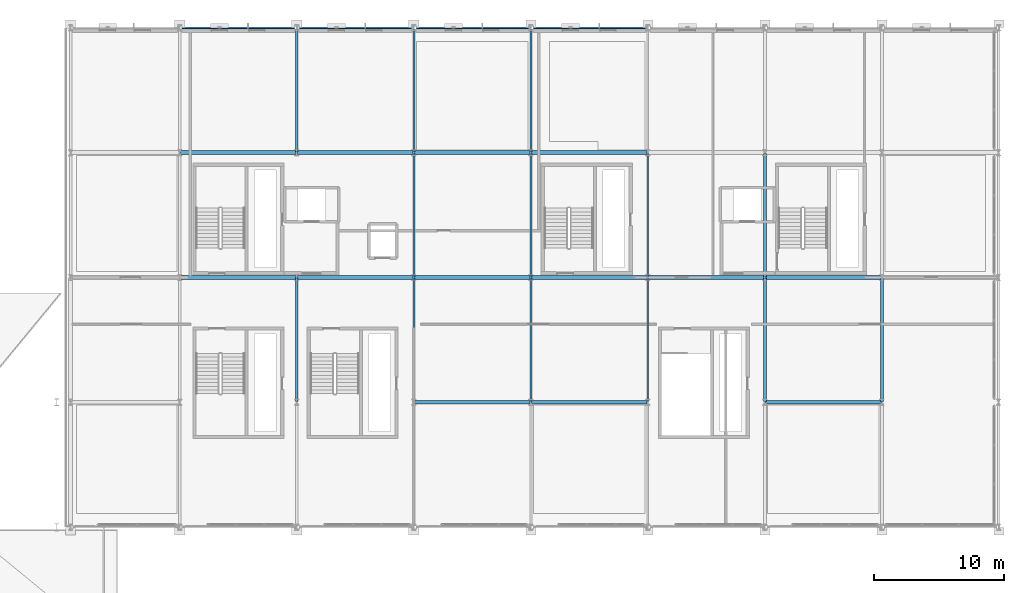
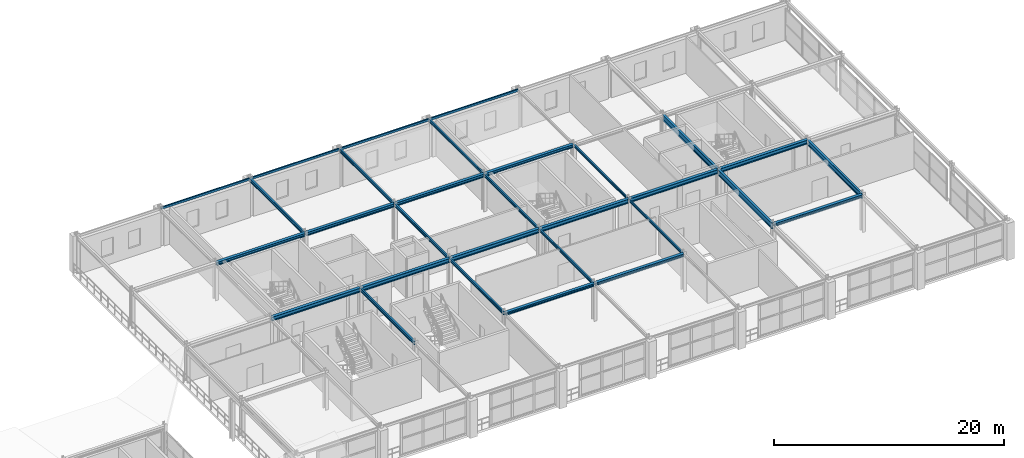
# One storey, part 32 of 81: 30 beams.
"""IFC4 building model written with IfcOpenShell, lengths in metres."""

from ifc_helpers import new_model, si_unit, direction, frame, origin, origin_2d, place, context, subcontext, project, spatial, hollow_rectangle, i_section, extrude, material, material_profile, profile_set, type_object, element, save


model = new_model("IFC4")

# Units and contexts
model_context = context("Model", 3, precision=1e-05, world=origin(), true_north=direction((0.0, 1.0)))
body_context = subcontext(model_context, "Body", "Model", "MODEL_VIEW")
ifc_project = project(units=[si_unit("LENGTHUNIT", "METRE"), si_unit("AREAUNIT", "SQUARE_METRE"), si_unit("VOLUMEUNIT", "CUBIC_METRE"), si_unit("PLANEANGLEUNIT", "RADIAN"), si_unit("MASSUNIT", "GRAM", prefix="KILO")], contexts=[model_context])

# Site, building, storey
site_placement = place(None, origin())
site = spatial("IfcSite", under=ifc_project, at=site_placement, CompositionType="ELEMENT")
building_placement = place(site_placement, origin())
building = spatial("IfcBuilding", under=site, at=building_placement, Name="Myrtia Square Station", CompositionType="ELEMENT")
storey_placement = place(building_placement, frame((0.0, 0.0, 10.800048828125)))
storey = spatial("IfcBuildingStorey", under=building, at=storey_placement, Name="L02", CompositionType="ELEMENT", Elevation=10.800048828125)

# Beams
ifc_material = material(Name="Steel S355", Category="steel")
ifc_material_profile_1 = material_profile(ifc_material, i_section(OverallWidth=0.300048828125, OverallDepth=0.35009765625, WebThickness=0.010009765625, FlangeThickness=0.017578125, FilletRadius=0.027099609375, at=origin_2d()), Name="HEA 360")
ifc_profile_set_1 = profile_set([ifc_material_profile_1], Name="Steel S355")
beam_type_1 = type_object("IfcBeamType", Name="BM-HEA360", PredefinedType="BEAM", material=ifc_profile_set_1)
for number, where, z_axis, x_axis, name in (
    (1, (126.050048828125, 115.199951171875, 3.784912109375), (1.0, 0.0, 0.0), (0.0, 1.0, 0.0), "Structural girder BMX-L02-0765"),
    (2, (135.050048828125, 115.199951171875, 3.784912109375), (1.0, 0.0, 0.0), (0.0, 1.0, 0.0), "Structural girder BMX-L02-0766"),
    (3, (144.050048828125, 115.199951171875, 3.784912109375), (1.0, 0.0, 0.0), (0.0, 1.0, 0.0), "Structural girder BMX-L02-0767"),
    (4, (153.050048828125, 115.199951171875, 3.784912109375), (1.0, 0.0, 0.0), (0.0, 1.0, 0.0), "Structural girder BMX-L02-0768"),
):
    element("IfcBeam", number, at=place(storey_placement, frame(where, z_axis=z_axis, x_axis=x_axis)), inside=storey, type_object=beam_type_1, Name=name, PredefinedType="BEAM", context=body_context, shape_type="SweptSolid", body=[
        extrude(i_section(OverallWidth=0.300048828125, OverallDepth=0.35009765625, WebThickness=0.010009765625, FlangeThickness=0.017578125, FilletRadius=0.027099609375, at=origin_2d()), origin(), (0.0, 0.0, 1.0), 8.89990234375),
    ])
ifc_material_profile_2 = material_profile(ifc_material, i_section(OverallWidth=0.300048828125, OverallDepth=0.43994140625, WebThickness=0.011474609375, FlangeThickness=0.02099609375, FilletRadius=0.027099609375, at=origin_2d()), Name="HEA 450")
ifc_profile_set_2 = profile_set([ifc_material_profile_2], Name="Steel S355")
beam_type_2 = type_object("IfcBeamType", Name="BM-HEA450", PredefinedType="BEAM", material=ifc_profile_set_2)
for number, where, z_axis, x_axis, name in (
    (5, (126.050048828125, 105.60009765625, 3.739990234375), (1.0, 0.0, 0.0), (0.0, 1.0, 0.0), "Structural girder BMX-L02-0757"),
    (6, (135.050048828125, 105.60009765625, 3.739990234375), (1.0, 0.0, 0.0), (0.0, 1.0, 0.0), "Structural girder BMX-L02-0758"),
    (7, (144.050048828125, 105.60009765625, 3.739990234375), (1.0, 0.0, 0.0), (0.0, 1.0, 0.0), "Structural girder BMX-L02-0759"),
    (8, (153.050048828125, 105.60009765625, 3.739990234375), (1.0, 0.0, 0.0), (0.0, 1.0, 0.0), "Structural girder BMX-L02-0760"),
    (9, (162.050048828125, 105.60009765625, 3.739990234375), (1.0, 0.0, 0.0), (0.0, 1.0, 0.0), "Structural girder BMX-L02-0761"),
    (10, (171.050048828125, 105.60009765625, 3.739990234375), (1.0, 0.0, 0.0), (0.0, 1.0, 0.0), "Structural girder BMX-L02-0762"),
):
    element("IfcBeam", number, at=place(storey_placement, frame(where, z_axis=z_axis, x_axis=x_axis)), inside=storey, type_object=beam_type_2, Name=name, PredefinedType="BEAM", context=body_context, shape_type="SweptSolid", body=[
        extrude(i_section(OverallWidth=0.300048828125, OverallDepth=0.43994140625, WebThickness=0.011474609375, FlangeThickness=0.02099609375, FilletRadius=0.027099609375, at=origin_2d()), origin(), (0.0, 0.0, 1.0), 8.89990234375),
    ])
ifc_material_profile_3 = material_profile(ifc_material, i_section(OverallWidth=0.300048828125, OverallDepth=0.300048828125, WebThickness=0.010986328125, FlangeThickness=0.01904296875, FilletRadius=0.027099609375, at=origin_2d()), Name="HEB 300")
ifc_profile_set_3 = profile_set([ifc_material_profile_3], Name="Steel S355")
beam_type_3 = type_object("IfcBeamType", Name="BM-HEB300", PredefinedType="BEAM", material=ifc_profile_set_3)
for number, where, z_axis, x_axis, name in (
    (11, (144.050048828125, 96.0, 3.81005859375), (1.0, 0.0, 0.0), (0.0, 1.0, 0.0), "Structural girder BMX-L02-0753"),
    (12, (153.050048828125, 96.0, 3.81005859375), (1.0, 0.0, 0.0), (0.0, 1.0, 0.0), "Structural girder BMX-L02-0754"),
    (13, (171.050048828125, 96.0, 3.81005859375), (1.0, 0.0, 0.0), (0.0, 1.0, 0.0), "Structural girder BMX-L02-0755"),
):
    element("IfcBeam", number, at=place(storey_placement, frame(where, z_axis=z_axis, x_axis=x_axis)), inside=storey, type_object=beam_type_3, Name=name, PredefinedType="BEAM", context=body_context, shape_type="SweptSolid", body=[
        extrude(i_section(OverallWidth=0.300048828125, OverallDepth=0.300048828125, WebThickness=0.010986328125, FlangeThickness=0.01904296875, FilletRadius=0.027099609375, at=origin_2d()), origin(), (0.0, 0.0, 1.0), 8.89990234375),
    ])
ifc_material_profile_4 = material_profile(ifc_material, i_section(OverallWidth=0.135009765625, OverallDepth=0.27001953125, WebThickness=0.006591796875, FlangeThickness=0.01025390625, FilletRadius=0.014892578125, at=origin_2d()), Name="IPE 270")
ifc_profile_set_4 = profile_set([ifc_material_profile_4], Name="Steel S355")
beam_type_4 = type_object("IfcBeamType", Name="BM-IPE270", PredefinedType="BEAM", material=ifc_profile_set_4)
for number, where, z_axis, x_axis, name in (
    (14, (162.0, 96.050048828125, 3.824951171875), (0.0, 1.0, 0.0), (-1.0, 0.0, 0.0), "Structural girder BMY-L02-0792"),
    (15, (162.0, 105.64990234375, 3.824951171875), (0.0, 1.0, 0.0), (-1.0, 0.0, 0.0), "Structural girder BMY-L02-0793"),
):
    element("IfcBeam", number, at=place(storey_placement, frame(where, z_axis=z_axis, x_axis=x_axis)), inside=storey, type_object=beam_type_4, Name=name, PredefinedType="BEAM", context=body_context, shape_type="SweptSolid", body=[
        extrude(i_section(OverallWidth=0.135009765625, OverallDepth=0.27001953125, WebThickness=0.006591796875, FlangeThickness=0.01025390625, FilletRadius=0.014892578125, at=origin_2d()), origin(), (0.0, 0.0, 1.0), 9.5),
    ])
ifc_material_profile_5 = material_profile(ifc_material, i_section(OverallWidth=0.14990234375, OverallDepth=0.300048828125, WebThickness=0.007080078125, FlangeThickness=0.0107421875, FilletRadius=0.014892578125, at=origin_2d()), Name="IPE 300")
ifc_profile_set_5 = profile_set([ifc_material_profile_5], Name="Steel S355")
beam_type_5 = type_object("IfcBeamType", Name="BM-IPE300", PredefinedType="BEAM", material=ifc_profile_set_5)
for number, where, z_axis, x_axis, name in (
    (16, (153.0, 96.050048828125, 3.81005859375), (0.0, 1.0, 0.0), (-1.0, 0.0, 0.0), "Structural girder BMY-L02-0788"),
    (17, (153.0, 105.64990234375, 3.81005859375), (0.0, 1.0, 0.0), (-1.0, 0.0, 0.0), "Structural girder BMY-L02-0789"),
    (18, (153.0, 115.25, 3.81005859375), (0.0, 1.0, 0.0), (-1.0, 0.0, 0.0), "Structural girder BMY-L02-0790"),
):
    element("IfcBeam", number, at=place(storey_placement, frame(where, z_axis=z_axis, x_axis=x_axis)), inside=storey, type_object=beam_type_5, Name=name, PredefinedType="BEAM", context=body_context, shape_type="SweptSolid", body=[
        extrude(i_section(OverallWidth=0.14990234375, OverallDepth=0.300048828125, WebThickness=0.007080078125, FlangeThickness=0.0107421875, FilletRadius=0.014892578125, at=origin_2d()), origin(), (0.0, 0.0, 1.0), 9.5),
    ])
ifc_material_profile_6 = material_profile(ifc_material, i_section(OverallWidth=0.159912109375, OverallDepth=0.330078125, WebThickness=0.007568359375, FlangeThickness=0.011474609375, FilletRadius=0.01806640625, at=origin_2d()), Name="IPE 330")
ifc_profile_set_6 = profile_set([ifc_material_profile_6], Name="Steel S355")
beam_type_6 = type_object("IfcBeamType", Name="BM-IPE330", PredefinedType="BEAM", material=ifc_profile_set_6)
for number, where, z_axis, x_axis, name in (
    (19, (144.0, 96.050048828125, 3.794921875), (0.0, 1.0, 0.0), (-1.0, 0.0, 0.0), "Structural girder BMY-L02-0784"),
    (20, (144.0, 105.64990234375, 3.794921875), (0.0, 1.0, 0.0), (-1.0, 0.0, 0.0), "Structural girder BMY-L02-0785"),
    (21, (144.0, 115.25, 3.794921875), (0.0, 1.0, 0.0), (-1.0, 0.0, 0.0), "Structural girder BMY-L02-0786"),
):
    element("IfcBeam", number, at=place(storey_placement, frame(where, z_axis=z_axis, x_axis=x_axis)), inside=storey, type_object=beam_type_6, Name=name, PredefinedType="BEAM", context=body_context, shape_type="SweptSolid", body=[
        extrude(i_section(OverallWidth=0.159912109375, OverallDepth=0.330078125, WebThickness=0.007568359375, FlangeThickness=0.011474609375, FilletRadius=0.01806640625, at=origin_2d()), origin(), (0.0, 0.0, 1.0), 9.5),
    ])
ifc_material_profile_7 = material_profile(ifc_material, i_section(OverallWidth=0.169921875, OverallDepth=0.360107421875, WebThickness=0.008056640625, FlangeThickness=0.0126953125, FilletRadius=0.01806640625, at=origin_2d()), Name="IPE 360")
ifc_profile_set_7 = profile_set([ifc_material_profile_7], Name="Steel S355")
beam_type_7 = type_object("IfcBeamType", Name="BM-IPE360", PredefinedType="BEAM", material=ifc_profile_set_7)
for number, where, z_axis, x_axis, name in (
    (22, (135.0, 96.050048828125, 3.780029296875), (0.0, 1.0, 0.0), (-1.0, 0.0, 0.0), "Structural girder BMY-L02-0781"),
    (23, (135.0, 115.25, 3.780029296875), (0.0, 1.0, 0.0), (-1.0, 0.0, 0.0), "Structural girder BMY-L02-0782"),
):
    element("IfcBeam", number, at=place(storey_placement, frame(where, z_axis=z_axis, x_axis=x_axis)), inside=storey, type_object=beam_type_7, Name=name, PredefinedType="BEAM", context=body_context, shape_type="SweptSolid", body=[
        extrude(i_section(OverallWidth=0.169921875, OverallDepth=0.360107421875, WebThickness=0.008056640625, FlangeThickness=0.0126953125, FilletRadius=0.01806640625, at=origin_2d()), origin(), (0.0, 0.0, 1.0), 9.5),
    ])
ifc_material_profile_8 = material_profile(ifc_material, i_section(OverallWidth=0.2099609375, OverallDepth=0.550048828125, WebThickness=0.010986328125, FlangeThickness=0.01708984375, FilletRadius=0.02392578125, at=origin_2d()), Name="IPE 550")
ifc_profile_set_8 = profile_set([ifc_material_profile_8], Name="Steel S355")
beam_type_8 = type_object("IfcBeamType", Name="BM-IPE550", PredefinedType="BEAM", material=ifc_profile_set_8)
beam_placement = place(storey_placement, frame((180.0, 96.050048828125, 3.68505859375), z_axis=(0.0, 1.0, 0.0), x_axis=(-1.0, 0.0, 0.0)))
element("IfcBeam", 24, at=beam_placement, inside=storey, type_object=beam_type_8, Name="Structural girder BMY-L02-0800", PredefinedType="BEAM", context=body_context, shape_type="SweptSolid", body=[
    extrude(i_section(OverallWidth=0.2099609375, OverallDepth=0.550048828125, WebThickness=0.010986328125, FlangeThickness=0.01708984375, FilletRadius=0.02392578125, at=origin_2d()), origin(), (0.0, 0.0, 1.0), 9.5),
])
ifc_material_profile_9 = material_profile(ifc_material, i_section(OverallWidth=0.219970703125, OverallDepth=0.60009765625, WebThickness=0.011962890625, FlangeThickness=0.01904296875, FilletRadius=0.02392578125, at=origin_2d()), Name="IPE 600")
ifc_profile_set_9 = profile_set([ifc_material_profile_9], Name="Steel S355")
beam_type_9 = type_object("IfcBeamType", Name="BM-IPE600", PredefinedType="BEAM", material=ifc_profile_set_9)
for number, where, z_axis, x_axis, name in (
    (25, (171.0, 96.050048828125, 3.659912109375), (0.0, 1.0, 0.0), (-1.0, 0.0, 0.0), "Structural girder BMY-L02-0796"),
    (26, (171.0, 105.64990234375, 3.659912109375), (0.0, 1.0, 0.0), (-1.0, 0.0, 0.0), "Structural girder BMY-L02-0797"),
):
    element("IfcBeam", number, at=place(storey_placement, frame(where, z_axis=z_axis, x_axis=x_axis)), inside=storey, type_object=beam_type_9, Name=name, PredefinedType="BEAM", context=body_context, shape_type="SweptSolid", body=[
        extrude(i_section(OverallWidth=0.219970703125, OverallDepth=0.60009765625, WebThickness=0.011962890625, FlangeThickness=0.01904296875, FilletRadius=0.02392578125, at=origin_2d()), origin(), (0.0, 0.0, 1.0), 9.5),
    ])
ifc_material_profile_10 = material_profile(ifc_material, hollow_rectangle(XDim=0.14990234375, YDim=0.25, WallThickness=0.012451171875, InnerFilletRadius=0.012451171875, OuterFilletRadius=0.02490234375, at=origin_2d()), Name="RHS 250x150x12.5")
ifc_profile_set_10 = profile_set([ifc_material_profile_10], Name="Steel S355")
beam_type_10 = type_object("IfcBeamType", Name="SPN-RHS250", PredefinedType="SPANDREL", material=ifc_profile_set_10)
for number, where, z_axis, x_axis, name in (
    (27, (126.050048828125, 124.800048828125, 3.8349609375), (1.0, 0.0, 0.0), (0.0, 1.0, 0.0), "Structural girder SPN-L02-0218"),
    (28, (135.050048828125, 124.800048828125, 3.8349609375), (1.0, 0.0, 0.0), (0.0, 1.0, 0.0), "Structural girder SPN-L02-0219"),
    (29, (144.050048828125, 124.800048828125, 3.8349609375), (1.0, 0.0, 0.0), (0.0, 1.0, 0.0), "Structural girder SPN-L02-0220"),
    (30, (153.050048828125, 124.800048828125, 3.8349609375), (1.0, 0.0, 0.0), (0.0, 1.0, 0.0), "Structural girder SPN-L02-0221"),
):
    element("IfcBeam", number, at=place(storey_placement, frame(where, z_axis=z_axis, x_axis=x_axis)), inside=storey, type_object=beam_type_10, Name=name, PredefinedType="SPANDREL", context=body_context, shape_type="SweptSolid", body=[
        extrude(hollow_rectangle(XDim=0.14990234375, YDim=0.25, WallThickness=0.012451171875, InnerFilletRadius=0.012451171875, OuterFilletRadius=0.02490234375, at=origin_2d()), origin(), (0.0, 0.0, 1.0), 8.89990234375),
    ])

save(model, "model.ifc")
